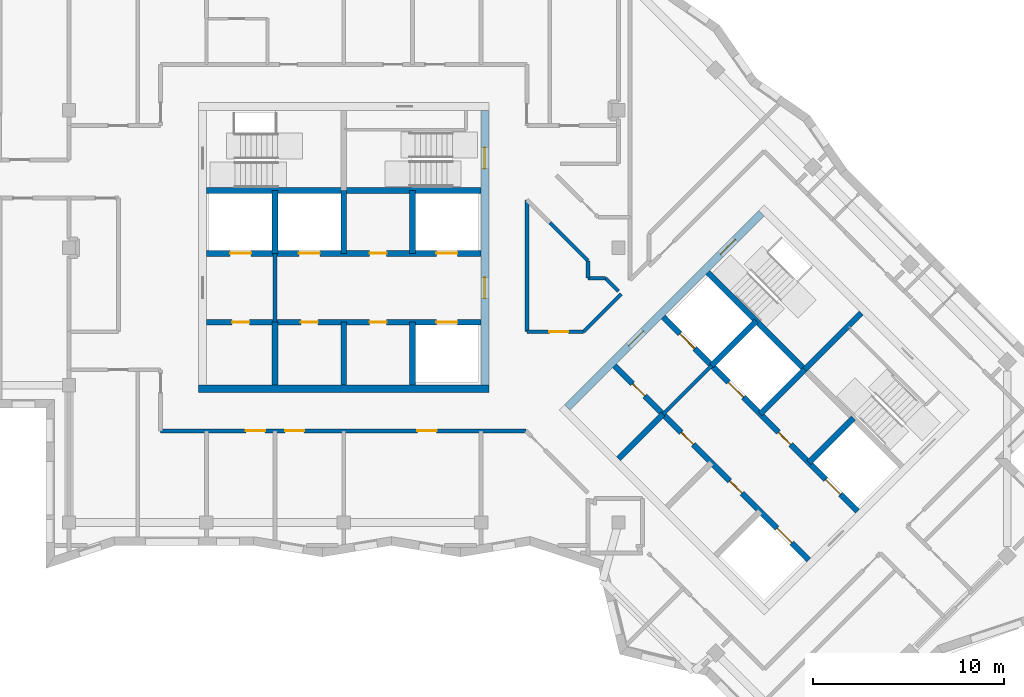
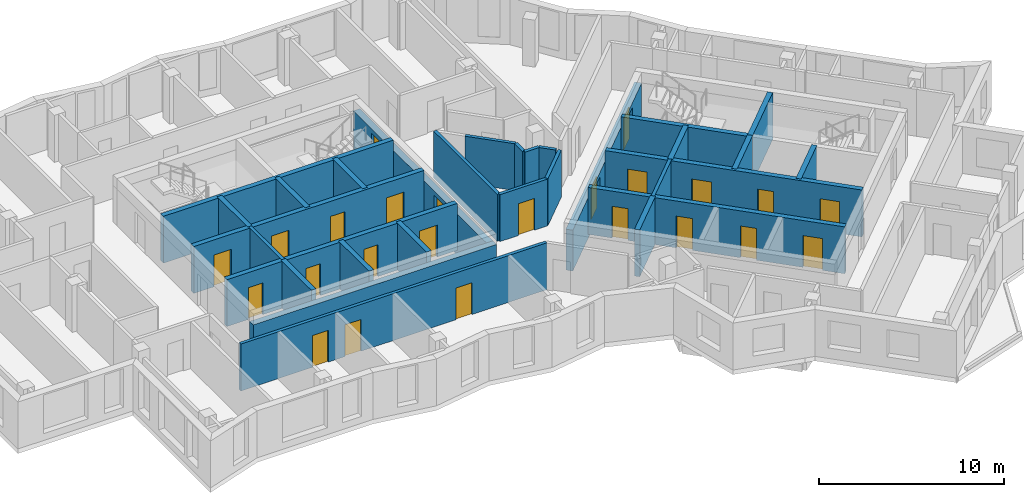
# One storey, part 4 of 12: 31 walls, 24 doors, 24 openings.
"""IFC4 building model written with IfcOpenShell, lengths in metres."""

from ifc_helpers import new_model, si_unit, direction, frame, frame_2d, origin, place, context, subcontext, project, spatial, rectangle, extrude, material, layer, layer_set, type_object, element, fill, save


model = new_model("IFC4")

# Units and contexts
model_context = context("Model", 3, precision=1e-05, world=origin(), true_north=direction((0.0, 1.0)))
body_context = subcontext(model_context, "Body", "Model", "MODEL_VIEW")
ifc_project = project(units=[si_unit("LENGTHUNIT", "METRE"), si_unit("AREAUNIT", "SQUARE_METRE"), si_unit("VOLUMEUNIT", "CUBIC_METRE"), si_unit("PLANEANGLEUNIT", "RADIAN"), si_unit("MASSUNIT", "GRAM", prefix="KILO")], contexts=[model_context])

# Site, building, storey
site_placement = place(None, origin())
site = spatial("IfcSite", under=ifc_project, at=site_placement, CompositionType="ELEMENT")
building_placement = place(site_placement, origin())
building = spatial("IfcBuilding", under=site, at=building_placement, Name="Windrow Commons", CompositionType="ELEMENT")
storey_placement = place(building_placement, frame((0.0, 0.0, 277.8)))
storey = spatial("IfcBuildingStorey", under=building, at=storey_placement, Name="L76", CompositionType="ELEMENT", Elevation=277.8)

# Walls
ifc_material_1 = material(Name="Blockwork partition", Category="masonry")
ifc_layer_1 = layer(ifc_material_1, 0.2)
ifc_layer_set_1 = layer_set([ifc_layer_1], Name="Fire lobby partition 200")
wall_type_1 = type_object("IfcWallType", Name="Fire lobby partition 200", PredefinedType="PARTITIONING", material=ifc_layer_set_1)
for number, where, z_axis, x_axis, name in (
    (1, (61.2, 53.7, 0.0), (0.0, 0.0, 1.0), (0.0, 1.0, 0.0), "W-core-lobby-A-L76"),
    (2, (81.5335, 48.8776, 0.0), (0.0, 0.0, 1.0), (0.707092892, 0.7071206701, 0.0), "W-core-lobby-B-L76"),
):
    element("IfcWall", number, at=place(storey_placement, frame(where, z_axis=z_axis, x_axis=x_axis)), inside=storey, type_object=wall_type_1, Name=name, PredefinedType="PARTITIONING", context=body_context, shape_type="SweptSolid", body=[
        extrude(rectangle(XDim=3.6, YDim=0.2, at=frame_2d((1.8, 0.0))), origin(), (0.0, 0.0, 1.0), 3.1),
    ])

# Wall, openings, doors
ifc_material_2 = material(Name="Blockwork partition", Category="masonry")
ifc_layer_2 = layer(ifc_material_2, 0.2)
ifc_layer_set_2 = layer_set([ifc_layer_2], Name="IW-CORRIDOR-200")
wall_type_2 = type_object("IfcWallType", Name="IW-CORRIDOR-200", PredefinedType="PARTITIONING", material=ifc_layer_set_2)
wall_1_placement = place(storey_placement, frame((55.2, 48.0, 0.0), z_axis=(0.0, 0.0, 1.0), x_axis=(1.0, 0.0, 0.0)))
wall_1 = element("IfcWall", 3, at=wall_1_placement, inside=storey, type_object=wall_type_2, Name="W-L76-W001", PredefinedType="PARTITIONING", context=body_context, shape_type="SweptSolid", body=[
    extrude(rectangle(XDim=19.15, YDim=0.2, at=frame_2d((9.575, 0.0))), origin(), (0.0, 0.0, 1.0), 3.1),
])
opening_1_placement = place(wall_1_placement, frame((4.475, 0.0, 0.0)))
opening_1 = element("IfcOpeningElement", 4, at=opening_1_placement, cuts=wall_1, Name="Opening D310F", PredefinedType="OPENING", context=body_context, shape_type="SweptSolid", body=[
    extrude(rectangle(XDim=1.0, YDim=2.1, at=frame_2d((0.5, 1.05))), frame((0.0, 0.11, 0.0), z_axis=(0.0, -1.0, 0.0), x_axis=(1.0, 0.0, 0.0)), (0.0, 0.0, 1.0), 0.22),
])
opening_2_placement = place(wall_1_placement, frame((6.525, 0.0, 0.0)))
opening_2 = element("IfcOpeningElement", 5, at=opening_2_placement, cuts=wall_1, Name="Opening D310F", PredefinedType="OPENING", context=body_context, shape_type="SweptSolid", body=[
    extrude(rectangle(XDim=1.0, YDim=2.1, at=frame_2d((0.5, 1.05))), frame((0.0, 0.11, 0.0), z_axis=(0.0, -1.0, 0.0), x_axis=(1.0, 0.0, 0.0)), (0.0, 0.0, 1.0), 0.22),
])
opening_3_placement = place(wall_1_placement, frame((13.4625, 0.0, 0.0)))
opening_3 = element("IfcOpeningElement", 6, at=opening_3_placement, cuts=wall_1, Name="Opening D310F", PredefinedType="OPENING", context=body_context, shape_type="SweptSolid", body=[
    extrude(rectangle(XDim=1.0, YDim=2.1, at=frame_2d((0.5, 1.05))), frame((0.0, 0.11, 0.0), z_axis=(0.0, -1.0, 0.0), x_axis=(1.0, 0.0, 0.0)), (0.0, 0.0, 1.0), 0.22),
])
ifc_material_3 = material(Name="Timber door leaf", Category="wood")
door_type_1 = type_object("IfcDoorType", Name="DT-AMENITY-1000", OperationType="SINGLE_SWING_LEFT", PredefinedType="DOOR", material=ifc_material_3)
door_1_placement = place(opening_1_placement, origin())
door_1 = element("IfcDoor", 7, at=door_1_placement, inside=storey, type_object=door_type_1, Name="D-L76-D024", OperationType="SINGLE_SWING_LEFT", OverallHeight=2.1, OverallWidth=1.0, PredefinedType="DOOR", context=body_context, shape_type="SweptSolid", body=[
    extrude(rectangle(XDim=1.0, YDim=2.1, at=frame_2d((0.5, 1.05))), frame((0.0, 0.025, 0.0), z_axis=(0.0, -1.0, 0.0), x_axis=(1.0, 0.0, 0.0)), (0.0, 0.0, 1.0), 0.05),
])
fill(opening_1, door_1)
door_2_placement = place(opening_2_placement, origin())
door_2 = element("IfcDoor", 8, at=door_2_placement, inside=storey, type_object=door_type_1, Name="D-L76-D025", OperationType="SINGLE_SWING_RIGHT", OverallHeight=2.1, OverallWidth=1.0, PredefinedType="DOOR", context=body_context, shape_type="SweptSolid", body=[
    extrude(rectangle(XDim=1.0, YDim=2.1, at=frame_2d((0.5, 1.05))), frame((0.0, 0.025, 0.0), z_axis=(0.0, -1.0, 0.0), x_axis=(1.0, 0.0, 0.0)), (0.0, 0.0, 1.0), 0.05),
])
fill(opening_2, door_2)
door_3_placement = place(opening_3_placement, origin())
door_3 = element("IfcDoor", 9, at=door_3_placement, inside=storey, type_object=door_type_1, Name="D-L76-D026", OperationType="SINGLE_SWING_LEFT", OverallHeight=2.1, OverallWidth=1.0, PredefinedType="DOOR", context=body_context, shape_type="SweptSolid", body=[
    extrude(rectangle(XDim=1.0, YDim=2.1, at=frame_2d((0.5, 1.05))), frame((0.0, 0.025, 0.0), z_axis=(0.0, -1.0, 0.0), x_axis=(1.0, 0.0, 0.0)), (0.0, 0.0, 1.0), 0.05),
])
fill(opening_3, door_3)

# Wall
wall_2_placement = place(storey_placement, frame((74.4, 53.202, 0.0), z_axis=(0.0, 0.0, 1.0), x_axis=(0.0, 1.0, 0.0)))
element("IfcWall", 10, at=wall_2_placement, inside=storey, type_object=wall_type_2, Name="W-L76-W018", PredefinedType="PARTITIONING", context=body_context, shape_type="SweptSolid", body=[
    extrude(rectangle(XDim=6.908, YDim=0.2, at=frame_2d((3.454, 0.0))), origin(), (0.0, 0.0, 1.0), 3.1),
])

# Wall, opening, door
wall_3_placement = place(storey_placement, frame((74.402, 53.2, 0.0), z_axis=(0.0, 0.0, 1.0), x_axis=(1.0, 0.0, 0.0)))
wall_3 = element("IfcWall", 11, at=wall_3_placement, inside=storey, type_object=wall_type_2, Name="W-L76-W060", PredefinedType="PARTITIONING", context=body_context, shape_type="SweptSolid", body=[
    extrude(rectangle(XDim=2.968, YDim=0.2, at=frame_2d((1.484, 0.0))), origin(), (0.0, 0.0, 1.0), 3.1),
])
opening_4_placement = place(wall_3_placement, frame((1.175, 0.0, 0.0)))
opening_4 = element("IfcOpeningElement", 12, at=opening_4_placement, cuts=wall_3, Name="Opening D310F", PredefinedType="OPENING", context=body_context, shape_type="SweptSolid", body=[
    extrude(rectangle(XDim=1.0, YDim=2.1, at=frame_2d((0.5, 1.05))), frame((0.0, 0.11, 0.0), z_axis=(0.0, -1.0, 0.0), x_axis=(1.0, 0.0, 0.0)), (0.0, 0.0, 1.0), 0.22),
])
door_4_placement = place(opening_4_placement, origin())
door_4 = element("IfcDoor", 13, at=door_4_placement, inside=storey, type_object=door_type_1, Name="D-L76-D001", OperationType="SINGLE_SWING_LEFT", OverallHeight=2.1, OverallWidth=1.0, PredefinedType="DOOR", context=body_context, shape_type="SweptSolid", body=[
    extrude(rectangle(XDim=1.0, YDim=2.1, at=frame_2d((0.5, 1.05))), frame((0.0, 0.025, 0.0), z_axis=(0.0, -1.0, 0.0), x_axis=(1.0, 0.0, 0.0)), (0.0, 0.0, 1.0), 0.05),
])
fill(opening_4, door_4)

# Walls
wall_4_placement = place(storey_placement, frame((75.6011, 58.9131, 0.0), z_axis=(0.0, 0.0, 1.0), x_axis=(0.707460777, -0.7067526081, 0.0)))
element("IfcWall", 14, at=wall_4_placement, inside=storey, type_object=wall_type_2, Name="W-L76-W062", PredefinedType="PARTITIONING", context=body_context, shape_type="SweptSolid", body=[
    extrude(rectangle(XDim=2.8242, YDim=0.2, at=frame_2d((1.4121, 0.0))), origin(), (0.0, 0.0, 1.0), 3.1),
])
wall_5_placement = place(storey_placement, frame((77.3695, 53.2005, 0.0), z_axis=(0.0, 0.0, 1.0), x_axis=(0.7071067812, 0.7071067812, 0.0)))
element("IfcWall", 15, at=wall_5_placement, inside=storey, type_object=wall_type_2, Name="W-L76-W063", PredefinedType="PARTITIONING", context=body_context, shape_type="SweptSolid", body=[
    extrude(rectangle(XDim=2.786, YDim=0.2, at=frame_2d((1.393, 0.0))), origin(), (0.0, 0.0, 1.0), 3.1),
])
wall_6_placement = place(storey_placement, frame((78.5168, 55.9988, 0.0), z_axis=(0.0, 0.0, 1.0), x_axis=(0.7060737561, -0.7081382993, 0.0)))
element("IfcWall", 16, at=wall_6_placement, inside=storey, type_object=wall_type_2, Name="W-L76-W105", PredefinedType="PARTITIONING", context=body_context, shape_type="SweptSolid", body=[
    extrude(rectangle(XDim=0.9687, YDim=0.2, at=frame_2d((0.4844, 0.0))), origin(), (0.0, 0.0, 1.0), 3.1),
])
for number, where, z_axis, x_axis, name in (
    (17, (77.6, 56.002, 0.0), (0.0, 0.0, 1.0), (0.0, 1.0, 0.0), "W-L76-W110"),
    (18, (77.602, 56.0, 0.0), (0.0, 0.0, 1.0), (1.0, 0.0, 0.0), "W-L76-W111"),
):
    element("IfcWall", number, at=place(storey_placement, frame(where, z_axis=z_axis, x_axis=x_axis)), inside=storey, type_object=wall_type_2, Name=name, PredefinedType="PARTITIONING", context=body_context, shape_type="SweptSolid", body=[
        extrude(rectangle(XDim=0.906, YDim=0.2, at=frame_2d((0.453, 0.0))), origin(), (0.0, 0.0, 1.0), 3.1),
    ])
ifc_material_4 = material(Name="Concrete C40/50", Category="concrete")
ifc_layer_3 = layer(ifc_material_4, 0.4)
ifc_layer_set_3 = layer_set([ifc_layer_3], Name="RC CORE WALL 400 C40/50")
wall_type_3 = type_object("IfcWallType", Name="RC CORE WALL 400 C40/50", PredefinedType="SHEAR", material=ifc_layer_set_3)
wall_7_placement = place(storey_placement, frame((57.2, 50.2, -0.3), z_axis=(0.0, 0.0, 1.0), x_axis=(1.0, 0.0, 0.0)))
element("IfcWall", 19, at=wall_7_placement, inside=storey, type_object=wall_type_3, Name="Core A wall outer-S", PredefinedType="SHEAR", context=body_context, shape_type="SweptSolid", body=[
    extrude(rectangle(XDim=15.2, YDim=0.4, at=frame_2d((7.6, 0.0))), origin(), (0.0, 0.0, 1.0), 2.7),
])

# Wall, openings, doors
wall_8_placement = place(storey_placement, frame((72.2, 50.4, -0.3), z_axis=(0.0, 0.0, 1.0), x_axis=(0.0, 1.0, 0.0)))
wall_8 = element("IfcWall", 20, at=wall_8_placement, inside=storey, type_object=wall_type_3, Name="Core A wall outer-E", PredefinedType="SHEAR", context=body_context, shape_type="SweptSolid", body=[
    extrude(rectangle(XDim=14.4, YDim=0.4, at=frame_2d((7.2, 0.0))), origin(), (0.0, 0.0, 1.0), 2.7),
])
opening_5_placement = place(wall_8_placement, frame((4.55, 0.0, 0.3)))
opening_5 = element("IfcOpeningElement", 21, at=opening_5_placement, cuts=wall_8, Name="Opening D6", PredefinedType="OPENING", context=body_context, shape_type="SweptSolid", body=[
    extrude(rectangle(XDim=1.1, YDim=2.1, at=frame_2d((0.55, 1.05))), frame((0.0, 0.21, 0.0), z_axis=(0.0, -1.0, 0.0), x_axis=(1.0, 0.0, 0.0)), (0.0, 0.0, 1.0), 0.42),
])
opening_6_placement = place(wall_8_placement, frame((11.35, 0.0, 0.3)))
opening_6 = element("IfcOpeningElement", 22, at=opening_6_placement, cuts=wall_8, Name="Opening D7", PredefinedType="OPENING", context=body_context, shape_type="SweptSolid", body=[
    extrude(rectangle(XDim=1.1, YDim=2.1, at=frame_2d((0.55, 1.05))), frame((0.0, 0.21, 0.0), z_axis=(0.0, -1.0, 0.0), x_axis=(1.0, 0.0, 0.0)), (0.0, 0.0, 1.0), 0.42),
])
ifc_material_5 = material(Name="Steel fire door leaf", Category="steel")
door_type_2 = type_object("IfcDoorType", Name="Core lobby door 1100", OperationType="SINGLE_SWING_LEFT", PredefinedType="DOOR", material=ifc_material_5)
door_5_placement = place(opening_5_placement, origin())
door_5 = element("IfcDoor", 23, at=door_5_placement, inside=storey, type_object=door_type_2, Name="Lift lobby door", OperationType="DOUBLE_DOOR_SINGLE_SWING", OverallHeight=2.1, OverallWidth=1.1, PredefinedType="DOOR", context=body_context, shape_type="SweptSolid", body=[
    extrude(rectangle(XDim=1.1, YDim=2.1, at=frame_2d((0.55, 1.05))), frame((0.0, 0.025, 0.0), z_axis=(0.0, -1.0, 0.0), x_axis=(1.0, 0.0, 0.0)), (0.0, 0.0, 1.0), 0.05),
])
fill(opening_5, door_5)
ifc_material_6 = material(Name="Steel fire door leaf", Category="steel")
door_type_3 = type_object("IfcDoorType", Name="Stair door 1100", OperationType="SINGLE_SWING_LEFT", PredefinedType="DOOR", material=ifc_material_6)
door_6_placement = place(opening_6_placement, origin())
door_6 = element("IfcDoor", 24, at=door_6_placement, inside=storey, type_object=door_type_3, Name="Stair door", OperationType="SINGLE_SWING_RIGHT", OverallHeight=2.1, OverallWidth=1.1, PredefinedType="DOOR", context=body_context, shape_type="SweptSolid", body=[
    extrude(rectangle(XDim=1.1, YDim=2.1, at=frame_2d((0.55, 1.05))), frame((0.0, 0.025, 0.0), z_axis=(0.0, -1.0, 0.0), x_axis=(1.0, 0.0, 0.0)), (0.0, 0.0, 1.0), 0.05),
])
fill(opening_6, door_6)

wall_9_placement = place(storey_placement, frame((76.513, 49.2312, -0.3), z_axis=(0.0, 0.0, 1.0), x_axis=(0.7071067812, 0.7071067812, 0.0)))
wall_9 = element("IfcWall", 25, at=wall_9_placement, inside=storey, type_object=wall_type_3, Name="Core B wall outer-W", PredefinedType="SHEAR", context=body_context, shape_type="SweptSolid", body=[
    extrude(rectangle(XDim=14.3999, YDim=0.4, at=frame_2d((7.2, 0.0))), origin(), (0.0, 0.0, 1.0), 2.7),
])
opening_7_placement = place(wall_9_placement, frame((4.55, 0.0, 0.3)))
opening_7 = element("IfcOpeningElement", 26, at=opening_7_placement, cuts=wall_9, Name="Opening D6", PredefinedType="OPENING", context=body_context, shape_type="SweptSolid", body=[
    extrude(rectangle(XDim=1.1, YDim=2.1, at=frame_2d((0.55, 1.05))), frame((0.0, 0.21, 0.0), z_axis=(0.0, -1.0, 0.0), x_axis=(1.0, 0.0, 0.0)), (0.0, 0.0, 1.0), 0.42),
])
opening_8_placement = place(wall_9_placement, frame((11.35, 0.0, 0.3)))
opening_8 = element("IfcOpeningElement", 27, at=opening_8_placement, cuts=wall_9, Name="Opening D7", PredefinedType="OPENING", context=body_context, shape_type="SweptSolid", body=[
    extrude(rectangle(XDim=1.1, YDim=2.1, at=frame_2d((0.55, 1.05))), frame((0.0, 0.21, 0.0), z_axis=(0.0, -1.0, 0.0), x_axis=(1.0, 0.0, 0.0)), (0.0, 0.0, 1.0), 0.42),
])
door_7_placement = place(opening_7_placement, origin())
door_7 = element("IfcDoor", 28, at=door_7_placement, inside=storey, type_object=door_type_2, Name="Lift lobby door", OperationType="DOUBLE_DOOR_SINGLE_SWING", OverallHeight=2.1, OverallWidth=1.1, PredefinedType="DOOR", context=body_context, shape_type="SweptSolid", body=[
    extrude(rectangle(XDim=1.1, YDim=2.1, at=frame_2d((0.55, 1.05))), frame((0.0, 0.025, 0.0), z_axis=(0.0, -1.0, 0.0), x_axis=(1.0, 0.0, 0.0)), (0.0, 0.0, 1.0), 0.05),
])
fill(opening_7, door_7)
door_8_placement = place(opening_8_placement, origin())
door_8 = element("IfcDoor", 29, at=door_8_placement, inside=storey, type_object=door_type_3, Name="Stair door", OperationType="SINGLE_SWING_LEFT", OverallHeight=2.1, OverallWidth=1.1, PredefinedType="DOOR", context=body_context, shape_type="SweptSolid", body=[
    extrude(rectangle(XDim=1.1, YDim=2.1, at=frame_2d((0.55, 1.05))), frame((0.0, 0.025, 0.0), z_axis=(0.0, -1.0, 0.0), x_axis=(1.0, 0.0, 0.0)), (0.0, 0.0, 1.0), 0.05),
])
fill(opening_8, door_8)

# Walls
ifc_material_7 = material(Name="Concrete C40/50", Category="concrete")
ifc_layer_4 = layer(ifc_material_7, 0.3)
ifc_layer_set_4 = layer_set([ifc_layer_4], Name="RC SHAFT WALL 300 C40/50")
wall_type_4 = type_object("IfcWallType", Name="RC SHAFT WALL 300 C40/50", PredefinedType="SOLIDWALL", material=ifc_layer_set_4)
for number, where, z_axis, x_axis, name in (
    (30, (61.2, 50.4, 0.0), (0.0, 0.0, 1.0), (0.0, 1.0, 0.0), "Core A wall shaft-S1"),
    (31, (61.2, 57.3, 0.0), (0.0, 0.0, 1.0), (0.0, 1.0, 0.0), "Core A wall shaft-N1"),
    (32, (64.8, 50.4, 0.0), (0.0, 0.0, 1.0), (0.0, 1.0, 0.0), "Core A wall shaft-S2"),
    (33, (64.8, 57.3, 0.0), (0.0, 0.0, 1.0), (0.0, 1.0, 0.0), "Core A wall shaft-N2"),
    (34, (68.4, 50.4, 0.0), (0.0, 0.0, 1.0), (0.0, 1.0, 0.0), "Core A wall shaft-S3"),
    (35, (68.4, 57.3, 0.0), (0.0, 0.0, 1.0), (0.0, 1.0, 0.0), "Core A wall shaft-N3"),
):
    element("IfcWall", number, at=place(storey_placement, frame(where, z_axis=z_axis, x_axis=x_axis)), inside=storey, type_object=wall_type_4, Name=name, PredefinedType="SOLIDWALL", context=body_context, shape_type="SweptSolid", body=[
        extrude(rectangle(XDim=3.3, YDim=0.3, at=frame_2d((1.65, 0.0))), origin(), (0.0, 0.0, 1.0), 3.1),
    ])

# Wall, openings, doors
wall_10_placement = place(storey_placement, frame((57.6, 53.7, 0.0), z_axis=(0.0, 0.0, 1.0), x_axis=(1.0, 0.0, 0.0)))
wall_10 = element("IfcWall", 36, at=wall_10_placement, inside=storey, type_object=wall_type_4, Name="Core A wall lobby-S", PredefinedType="SOLIDWALL", context=body_context, shape_type="SweptSolid", body=[
    extrude(rectangle(XDim=14.4, YDim=0.3, at=frame_2d((7.2, 0.0))), origin(), (0.0, 0.0, 1.0), 3.1),
])
opening_9_placement = place(wall_10_placement, frame((1.35, 0.0, 0.0)))
opening_9 = element("IfcOpeningElement", 37, at=opening_9_placement, cuts=wall_10, Name="Opening D8", PredefinedType="OPENING", context=body_context, shape_type="SweptSolid", body=[
    extrude(rectangle(XDim=0.9, YDim=2.1, at=frame_2d((0.45, 1.05))), frame((0.0, 0.16, 0.0), z_axis=(0.0, -1.0, 0.0), x_axis=(1.0, 0.0, 0.0)), (0.0, 0.0, 1.0), 0.32),
])
opening_10_placement = place(wall_10_placement, frame((4.95, 0.0, 0.0)))
opening_10 = element("IfcOpeningElement", 38, at=opening_10_placement, cuts=wall_10, Name="Opening D8", PredefinedType="OPENING", context=body_context, shape_type="SweptSolid", body=[
    extrude(rectangle(XDim=0.9, YDim=2.1, at=frame_2d((0.45, 1.05))), frame((0.0, 0.16, 0.0), z_axis=(0.0, -1.0, 0.0), x_axis=(1.0, 0.0, 0.0)), (0.0, 0.0, 1.0), 0.32),
])
opening_11_placement = place(wall_10_placement, frame((8.55, 0.0, 0.0)))
opening_11 = element("IfcOpeningElement", 39, at=opening_11_placement, cuts=wall_10, Name="Opening D8", PredefinedType="OPENING", context=body_context, shape_type="SweptSolid", body=[
    extrude(rectangle(XDim=0.9, YDim=2.1, at=frame_2d((0.45, 1.05))), frame((0.0, 0.16, 0.0), z_axis=(0.0, -1.0, 0.0), x_axis=(1.0, 0.0, 0.0)), (0.0, 0.0, 1.0), 0.32),
])
opening_12_placement = place(wall_10_placement, frame((12.05, 0.0, 0.0)))
opening_12 = element("IfcOpeningElement", 40, at=opening_12_placement, cuts=wall_10, Name="Opening LD", PredefinedType="OPENING", context=body_context, shape_type="SweptSolid", body=[
    extrude(rectangle(XDim=1.1, YDim=2.1, at=frame_2d((0.55, 1.05))), frame((0.0, 0.16, 0.0), z_axis=(0.0, -1.0, 0.0), x_axis=(1.0, 0.0, 0.0)), (0.0, 0.0, 1.0), 0.32),
])
ifc_material_8 = material(Name="Steel fire door leaf", Category="steel")
door_type_4 = type_object("IfcDoorType", Name="Core store door 900", OperationType="SINGLE_SWING_LEFT", PredefinedType="DOOR", material=ifc_material_8)
door_9_placement = place(opening_9_placement, origin())
door_9 = element("IfcDoor", 41, at=door_9_placement, inside=storey, type_object=door_type_4, Name="Store door", OperationType="SINGLE_SWING_LEFT", OverallHeight=2.1, OverallWidth=0.9, PredefinedType="DOOR", context=body_context, shape_type="SweptSolid", body=[
    extrude(rectangle(XDim=0.9, YDim=2.1, at=frame_2d((0.45, 1.05))), frame((0.0, 0.025, 0.0), z_axis=(0.0, -1.0, 0.0), x_axis=(1.0, 0.0, 0.0)), (0.0, 0.0, 1.0), 0.05),
])
fill(opening_9, door_9)
door_10_placement = place(opening_10_placement, origin())
door_10 = element("IfcDoor", 42, at=door_10_placement, inside=storey, type_object=door_type_4, Name="Store door", OperationType="SINGLE_SWING_LEFT", OverallHeight=2.1, OverallWidth=0.9, PredefinedType="DOOR", context=body_context, shape_type="SweptSolid", body=[
    extrude(rectangle(XDim=0.9, YDim=2.1, at=frame_2d((0.45, 1.05))), frame((0.0, 0.025, 0.0), z_axis=(0.0, -1.0, 0.0), x_axis=(1.0, 0.0, 0.0)), (0.0, 0.0, 1.0), 0.05),
])
fill(opening_10, door_10)
door_11_placement = place(opening_11_placement, origin())
door_11 = element("IfcDoor", 43, at=door_11_placement, inside=storey, type_object=door_type_4, Name="Store door", OperationType="SINGLE_SWING_LEFT", OverallHeight=2.1, OverallWidth=0.9, PredefinedType="DOOR", context=body_context, shape_type="SweptSolid", body=[
    extrude(rectangle(XDim=0.9, YDim=2.1, at=frame_2d((0.45, 1.05))), frame((0.0, 0.025, 0.0), z_axis=(0.0, -1.0, 0.0), x_axis=(1.0, 0.0, 0.0)), (0.0, 0.0, 1.0), 0.05),
])
fill(opening_11, door_11)
ifc_material_9 = material(Name="Stainless steel door leaf", Category="steel")
door_type_5 = type_object("IfcDoorType", Name="Lift landing door 1100", OperationType="SLIDING_TO_LEFT", PredefinedType="DOOR", material=ifc_material_9)
door_12_placement = place(opening_12_placement, origin())
door_12 = element("IfcDoor", 44, at=door_12_placement, inside=storey, type_object=door_type_5, Name="Lift landing door", OperationType="SLIDING_TO_RIGHT", OverallHeight=2.1, OverallWidth=1.1, PredefinedType="DOOR", context=body_context, shape_type="SweptSolid", body=[
    extrude(rectangle(XDim=1.1, YDim=2.1, at=frame_2d((0.55, 1.05))), frame((0.0, 0.025, 0.0), z_axis=(0.0, -1.0, 0.0), x_axis=(1.0, 0.0, 0.0)), (0.0, 0.0, 1.0), 0.05),
])
fill(opening_12, door_12)

wall_11_placement = place(storey_placement, frame((57.6, 57.3, 0.0), z_axis=(0.0, 0.0, 1.0), x_axis=(1.0, 0.0, 0.0)))
wall_11 = element("IfcWall", 45, at=wall_11_placement, inside=storey, type_object=wall_type_4, Name="Core A wall lobby-N", PredefinedType="SOLIDWALL", context=body_context, shape_type="SweptSolid", body=[
    extrude(rectangle(XDim=14.4, YDim=0.3, at=frame_2d((7.2, 0.0))), origin(), (0.0, 0.0, 1.0), 3.1),
])
opening_13_placement = place(wall_11_placement, frame((8.55, 0.0, 0.0)))
opening_13 = element("IfcOpeningElement", 46, at=opening_13_placement, cuts=wall_11, Name="Opening D8", PredefinedType="OPENING", context=body_context, shape_type="SweptSolid", body=[
    extrude(rectangle(XDim=0.9, YDim=2.1, at=frame_2d((0.45, 1.05))), frame((0.0, 0.16, 0.0), z_axis=(0.0, -1.0, 0.0), x_axis=(1.0, 0.0, 0.0)), (0.0, 0.0, 1.0), 0.32),
])
opening_14_placement = place(wall_11_placement, frame((1.25, 0.0, 0.0)))
opening_14 = element("IfcOpeningElement", 47, at=opening_14_placement, cuts=wall_11, Name="Opening LD", PredefinedType="OPENING", context=body_context, shape_type="SweptSolid", body=[
    extrude(rectangle(XDim=1.1, YDim=2.1, at=frame_2d((0.55, 1.05))), frame((0.0, 0.16, 0.0), z_axis=(0.0, -1.0, 0.0), x_axis=(1.0, 0.0, 0.0)), (0.0, 0.0, 1.0), 0.32),
])
opening_15_placement = place(wall_11_placement, frame((4.85, 0.0, 0.0)))
opening_15 = element("IfcOpeningElement", 48, at=opening_15_placement, cuts=wall_11, Name="Opening LD", PredefinedType="OPENING", context=body_context, shape_type="SweptSolid", body=[
    extrude(rectangle(XDim=1.1, YDim=2.1, at=frame_2d((0.55, 1.05))), frame((0.0, 0.16, 0.0), z_axis=(0.0, -1.0, 0.0), x_axis=(1.0, 0.0, 0.0)), (0.0, 0.0, 1.0), 0.32),
])
opening_16_placement = place(wall_11_placement, frame((12.05, 0.0, 0.0)))
opening_16 = element("IfcOpeningElement", 49, at=opening_16_placement, cuts=wall_11, Name="Opening LD", PredefinedType="OPENING", context=body_context, shape_type="SweptSolid", body=[
    extrude(rectangle(XDim=1.1, YDim=2.1, at=frame_2d((0.55, 1.05))), frame((0.0, 0.16, 0.0), z_axis=(0.0, -1.0, 0.0), x_axis=(1.0, 0.0, 0.0)), (0.0, 0.0, 1.0), 0.32),
])
door_13_placement = place(opening_13_placement, origin())
door_13 = element("IfcDoor", 50, at=door_13_placement, inside=storey, type_object=door_type_4, Name="Store door", OperationType="SINGLE_SWING_LEFT", OverallHeight=2.1, OverallWidth=0.9, PredefinedType="DOOR", context=body_context, shape_type="SweptSolid", body=[
    extrude(rectangle(XDim=0.9, YDim=2.1, at=frame_2d((0.45, 1.05))), frame((0.0, 0.025, 0.0), z_axis=(0.0, -1.0, 0.0), x_axis=(1.0, 0.0, 0.0)), (0.0, 0.0, 1.0), 0.05),
])
fill(opening_13, door_13)
door_14_placement = place(opening_14_placement, origin())
door_14 = element("IfcDoor", 51, at=door_14_placement, inside=storey, type_object=door_type_5, Name="Lift landing door", OperationType="SLIDING_TO_LEFT", OverallHeight=2.1, OverallWidth=1.1, PredefinedType="DOOR", context=body_context, shape_type="SweptSolid", body=[
    extrude(rectangle(XDim=1.1, YDim=2.1, at=frame_2d((0.55, 1.05))), frame((0.0, 0.025, 0.0), z_axis=(0.0, -1.0, 0.0), x_axis=(1.0, 0.0, 0.0)), (0.0, 0.0, 1.0), 0.05),
])
fill(opening_14, door_14)
door_15_placement = place(opening_15_placement, origin())
door_15 = element("IfcDoor", 52, at=door_15_placement, inside=storey, type_object=door_type_5, Name="Lift landing door", OperationType="SLIDING_TO_RIGHT", OverallHeight=2.1, OverallWidth=1.1, PredefinedType="DOOR", context=body_context, shape_type="SweptSolid", body=[
    extrude(rectangle(XDim=1.1, YDim=2.1, at=frame_2d((0.55, 1.05))), frame((0.0, 0.025, 0.0), z_axis=(0.0, -1.0, 0.0), x_axis=(1.0, 0.0, 0.0)), (0.0, 0.0, 1.0), 0.05),
])
fill(opening_15, door_15)
door_16_placement = place(opening_16_placement, origin())
door_16 = element("IfcDoor", 53, at=door_16_placement, inside=storey, type_object=door_type_5, Name="Lift landing door", OperationType="SLIDING_TO_RIGHT", OverallHeight=2.1, OverallWidth=1.1, PredefinedType="DOOR", context=body_context, shape_type="SweptSolid", body=[
    extrude(rectangle(XDim=1.1, YDim=2.1, at=frame_2d((0.55, 1.05))), frame((0.0, 0.025, 0.0), z_axis=(0.0, -1.0, 0.0), x_axis=(1.0, 0.0, 0.0)), (0.0, 0.0, 1.0), 0.05),
])
fill(opening_16, door_16)

# Walls
for number, where, z_axis, x_axis, name in (
    (54, (57.6, 60.6, 0.0), (0.0, 0.0, 1.0), (1.0, 0.0, 0.0), "Core A wall stair-S"),
    (55, (64.8, 60.6, 0.0), (0.0, 0.0, 1.0), (1.0, 0.0, 0.0), "Core A wall stair-S2"),
):
    element("IfcWall", number, at=place(storey_placement, frame(where, z_axis=z_axis, x_axis=x_axis)), inside=storey, type_object=wall_type_4, Name=name, PredefinedType="SOLIDWALL", context=body_context, shape_type="SweptSolid", body=[
        extrude(rectangle(XDim=7.2, YDim=0.3, at=frame_2d((3.6, 0.0))), origin(), (0.0, 0.0, 1.0), 3.1),
    ])
for number, where, z_axis, x_axis, name in (
    (56, (79.2, 46.5442, 0.0), (0.0, 0.0, 1.0), (0.7071219326, 0.7070916295, 0.0), "Core B wall shaft-S1"),
    (57, (84.079, 51.4232, 0.0), (0.0, 0.0, 1.0), (0.7071219326, 0.7070916295, 0.0), "Core B wall shaft-N1"),
):
    element("IfcWall", number, at=place(storey_placement, frame(where, z_axis=z_axis, x_axis=x_axis)), inside=storey, type_object=wall_type_4, Name=name, PredefinedType="SOLIDWALL", context=body_context, shape_type="SweptSolid", body=[
        extrude(rectangle(XDim=3.3, YDim=0.3, at=frame_2d((1.65, 0.0))), origin(), (0.0, 0.0, 1.0), 3.1),
    ])
for number, where, z_axis, x_axis, name in (
    (58, (86.6246, 48.8776, 0.0), (0.0, 0.0, 1.0), (0.7071067812, 0.7071067812, 0.0), "Core B wall shaft-N2"),
    (59, (89.1702, 46.332, 0.0), (0.0, 0.0, 1.0), (0.7071067812, 0.7071067812, 0.0), "Core B wall shaft-N3"),
):
    element("IfcWall", number, at=place(storey_placement, frame(where, z_axis=z_axis, x_axis=x_axis)), inside=storey, type_object=wall_type_4, Name=name, PredefinedType="SOLIDWALL", context=body_context, shape_type="SweptSolid", body=[
        extrude(rectangle(XDim=3.3001, YDim=0.3, at=frame_2d((1.6501, 0.0))), origin(), (0.0, 0.0, 1.0), 3.1),
    ])

# Wall, openings, doors
wall_12_placement = place(storey_placement, frame((78.9879, 51.4232, 0.0), z_axis=(0.0, 0.0, 1.0), x_axis=(0.7071067812, -0.7071067812, 0.0)))
wall_12 = element("IfcWall", 60, at=wall_12_placement, inside=storey, type_object=wall_type_4, Name="Core B wall lobby-S", PredefinedType="SOLIDWALL", context=body_context, shape_type="SweptSolid", body=[
    extrude(rectangle(XDim=14.3999, YDim=0.3, at=frame_2d((7.2, 0.0))), origin(), (0.0, 0.0, 1.0), 3.1),
])
opening_17_placement = place(wall_12_placement, frame((1.35, 0.0, 0.0)))
opening_17 = element("IfcOpeningElement", 61, at=opening_17_placement, cuts=wall_12, Name="Opening D8", PredefinedType="OPENING", context=body_context, shape_type="SweptSolid", body=[
    extrude(rectangle(XDim=0.9, YDim=2.1, at=frame_2d((0.45, 1.05))), frame((0.0, 0.16, 0.0), z_axis=(0.0, -1.0, 0.0), x_axis=(1.0, 0.0, 0.0)), (0.0, 0.0, 1.0), 0.32),
])
opening_18_placement = place(wall_12_placement, frame((4.95, 0.0, 0.0)))
opening_18 = element("IfcOpeningElement", 62, at=opening_18_placement, cuts=wall_12, Name="Opening D8", PredefinedType="OPENING", context=body_context, shape_type="SweptSolid", body=[
    extrude(rectangle(XDim=0.9, YDim=2.1, at=frame_2d((0.45, 1.05))), frame((0.0, 0.16, 0.0), z_axis=(0.0, -1.0, 0.0), x_axis=(1.0, 0.0, 0.0)), (0.0, 0.0, 1.0), 0.32),
])
opening_19_placement = place(wall_12_placement, frame((8.55, 0.0, 0.0)))
opening_19 = element("IfcOpeningElement", 63, at=opening_19_placement, cuts=wall_12, Name="Opening D8", PredefinedType="OPENING", context=body_context, shape_type="SweptSolid", body=[
    extrude(rectangle(XDim=0.9, YDim=2.1, at=frame_2d((0.45, 1.05))), frame((0.0, 0.16, 0.0), z_axis=(0.0, -1.0, 0.0), x_axis=(1.0, 0.0, 0.0)), (0.0, 0.0, 1.0), 0.32),
])
opening_20_placement = place(wall_12_placement, frame((12.05, 0.0, 0.0)))
opening_20 = element("IfcOpeningElement", 64, at=opening_20_placement, cuts=wall_12, Name="Opening LD", PredefinedType="OPENING", context=body_context, shape_type="SweptSolid", body=[
    extrude(rectangle(XDim=1.1, YDim=2.1, at=frame_2d((0.55, 1.05))), frame((0.0, 0.16, 0.0), z_axis=(0.0, -1.0, 0.0), x_axis=(1.0, 0.0, 0.0)), (0.0, 0.0, 1.0), 0.32),
])
door_17_placement = place(opening_17_placement, origin())
door_17 = element("IfcDoor", 65, at=door_17_placement, inside=storey, type_object=door_type_4, Name="Store door", OperationType="SINGLE_SWING_LEFT", OverallHeight=2.1, OverallWidth=0.9, PredefinedType="DOOR", context=body_context, shape_type="SweptSolid", body=[
    extrude(rectangle(XDim=0.9, YDim=2.1, at=frame_2d((0.45, 1.05))), frame((0.0, 0.025, 0.0), z_axis=(0.0, -1.0, 0.0), x_axis=(1.0, 0.0, 0.0)), (0.0, 0.0, 1.0), 0.05),
])
fill(opening_17, door_17)
door_18_placement = place(opening_18_placement, origin())
door_18 = element("IfcDoor", 66, at=door_18_placement, inside=storey, type_object=door_type_4, Name="Store door", OperationType="SINGLE_SWING_LEFT", OverallHeight=2.1, OverallWidth=0.9, PredefinedType="DOOR", context=body_context, shape_type="SweptSolid", body=[
    extrude(rectangle(XDim=0.9, YDim=2.1, at=frame_2d((0.45, 1.05))), frame((0.0, 0.025, 0.0), z_axis=(0.0, -1.0, 0.0), x_axis=(1.0, 0.0, 0.0)), (0.0, 0.0, 1.0), 0.05),
])
fill(opening_18, door_18)
door_19_placement = place(opening_19_placement, origin())
door_19 = element("IfcDoor", 67, at=door_19_placement, inside=storey, type_object=door_type_4, Name="Store door", OperationType="SINGLE_SWING_LEFT", OverallHeight=2.1, OverallWidth=0.9, PredefinedType="DOOR", context=body_context, shape_type="SweptSolid", body=[
    extrude(rectangle(XDim=0.9, YDim=2.1, at=frame_2d((0.45, 1.05))), frame((0.0, 0.025, 0.0), z_axis=(0.0, -1.0, 0.0), x_axis=(1.0, 0.0, 0.0)), (0.0, 0.0, 1.0), 0.05),
])
fill(opening_19, door_19)
door_20_placement = place(opening_20_placement, origin())
door_20 = element("IfcDoor", 68, at=door_20_placement, inside=storey, type_object=door_type_5, Name="Lift landing door", OperationType="SLIDING_TO_RIGHT", OverallHeight=2.1, OverallWidth=1.1, PredefinedType="DOOR", context=body_context, shape_type="SweptSolid", body=[
    extrude(rectangle(XDim=1.1, YDim=2.1, at=frame_2d((0.55, 1.05))), frame((0.0, 0.025, 0.0), z_axis=(0.0, -1.0, 0.0), x_axis=(1.0, 0.0, 0.0)), (0.0, 0.0, 1.0), 0.05),
])
fill(opening_20, door_20)

wall_13_placement = place(storey_placement, frame((81.5335, 53.9688, 0.0), z_axis=(0.0, 0.0, 1.0), x_axis=(0.707103309, -0.7071102534, 0.0)))
wall_13 = element("IfcWall", 69, at=wall_13_placement, inside=storey, type_object=wall_type_4, Name="Core B wall lobby-N", PredefinedType="SOLIDWALL", context=body_context, shape_type="SweptSolid", body=[
    extrude(rectangle(XDim=14.4, YDim=0.3, at=frame_2d((7.2, 0.0))), origin(), (0.0, 0.0, 1.0), 3.1),
])
opening_21_placement = place(wall_13_placement, frame((8.55, 0.0, 0.0)))
opening_21 = element("IfcOpeningElement", 70, at=opening_21_placement, cuts=wall_13, Name="Opening D8", PredefinedType="OPENING", context=body_context, shape_type="SweptSolid", body=[
    extrude(rectangle(XDim=0.9, YDim=2.1, at=frame_2d((0.45, 1.05))), frame((0.0, 0.16, 0.0), z_axis=(0.0, -1.0, 0.0), x_axis=(1.0, 0.0, 0.0)), (0.0, 0.0, 1.0), 0.32),
])
opening_22_placement = place(wall_13_placement, frame((1.25, 0.0, 0.0)))
opening_22 = element("IfcOpeningElement", 71, at=opening_22_placement, cuts=wall_13, Name="Opening LD", PredefinedType="OPENING", context=body_context, shape_type="SweptSolid", body=[
    extrude(rectangle(XDim=1.1, YDim=2.1, at=frame_2d((0.55, 1.05))), frame((0.0, 0.16, 0.0), z_axis=(0.0, -1.0, 0.0), x_axis=(1.0, 0.0, 0.0)), (0.0, 0.0, 1.0), 0.32),
])
opening_23_placement = place(wall_13_placement, frame((4.85, 0.0, 0.0)))
opening_23 = element("IfcOpeningElement", 72, at=opening_23_placement, cuts=wall_13, Name="Opening LD", PredefinedType="OPENING", context=body_context, shape_type="SweptSolid", body=[
    extrude(rectangle(XDim=1.1, YDim=2.1, at=frame_2d((0.55, 1.05))), frame((0.0, 0.16, 0.0), z_axis=(0.0, -1.0, 0.0), x_axis=(1.0, 0.0, 0.0)), (0.0, 0.0, 1.0), 0.32),
])
opening_24_placement = place(wall_13_placement, frame((12.05, 0.0, 0.0)))
opening_24 = element("IfcOpeningElement", 73, at=opening_24_placement, cuts=wall_13, Name="Opening LD", PredefinedType="OPENING", context=body_context, shape_type="SweptSolid", body=[
    extrude(rectangle(XDim=1.1, YDim=2.1, at=frame_2d((0.55, 1.05))), frame((0.0, 0.16, 0.0), z_axis=(0.0, -1.0, 0.0), x_axis=(1.0, 0.0, 0.0)), (0.0, 0.0, 1.0), 0.32),
])
door_21_placement = place(opening_21_placement, origin())
door_21 = element("IfcDoor", 74, at=door_21_placement, inside=storey, type_object=door_type_4, Name="Store door", OperationType="SINGLE_SWING_LEFT", OverallHeight=2.1, OverallWidth=0.9, PredefinedType="DOOR", context=body_context, shape_type="SweptSolid", body=[
    extrude(rectangle(XDim=0.9, YDim=2.1, at=frame_2d((0.45, 1.05))), frame((0.0, 0.025, 0.0), z_axis=(0.0, -1.0, 0.0), x_axis=(1.0, 0.0, 0.0)), (0.0, 0.0, 1.0), 0.05),
])
fill(opening_21, door_21)
door_22_placement = place(opening_22_placement, origin())
door_22 = element("IfcDoor", 75, at=door_22_placement, inside=storey, type_object=door_type_5, Name="Lift landing door", OperationType="SLIDING_TO_LEFT", OverallHeight=2.1, OverallWidth=1.1, PredefinedType="DOOR", context=body_context, shape_type="SweptSolid", body=[
    extrude(rectangle(XDim=1.1, YDim=2.1, at=frame_2d((0.55, 1.05))), frame((0.0, 0.025, 0.0), z_axis=(0.0, -1.0, 0.0), x_axis=(1.0, 0.0, 0.0)), (0.0, 0.0, 1.0), 0.05),
])
fill(opening_22, door_22)
door_23_placement = place(opening_23_placement, origin())
door_23 = element("IfcDoor", 76, at=door_23_placement, inside=storey, type_object=door_type_5, Name="Lift landing door", OperationType="SLIDING_TO_RIGHT", OverallHeight=2.1, OverallWidth=1.1, PredefinedType="DOOR", context=body_context, shape_type="SweptSolid", body=[
    extrude(rectangle(XDim=1.1, YDim=2.1, at=frame_2d((0.55, 1.05))), frame((0.0, 0.025, 0.0), z_axis=(0.0, -1.0, 0.0), x_axis=(1.0, 0.0, 0.0)), (0.0, 0.0, 1.0), 0.05),
])
fill(opening_23, door_23)
door_24_placement = place(opening_24_placement, origin())
door_24 = element("IfcDoor", 77, at=door_24_placement, inside=storey, type_object=door_type_5, Name="Lift landing door", OperationType="SLIDING_TO_RIGHT", OverallHeight=2.1, OverallWidth=1.1, PredefinedType="DOOR", context=body_context, shape_type="SweptSolid", body=[
    extrude(rectangle(XDim=1.1, YDim=2.1, at=frame_2d((0.55, 1.05))), frame((0.0, 0.025, 0.0), z_axis=(0.0, -1.0, 0.0), x_axis=(1.0, 0.0, 0.0)), (0.0, 0.0, 1.0), 0.05),
])
fill(opening_24, door_24)

# Walls
wall_14_placement = place(storey_placement, frame((83.8669, 56.3022, 0.0), z_axis=(0.0, 0.0, 1.0), x_axis=(0.7071137256, -0.7070998367, 0.0)))
element("IfcWall", 78, at=wall_14_placement, inside=storey, type_object=wall_type_4, Name="Core B wall stair-S", PredefinedType="SOLIDWALL", context=body_context, shape_type="SweptSolid", body=[
    extrude(rectangle(XDim=7.2, YDim=0.3, at=frame_2d((3.6, 0.0))), origin(), (0.0, 0.0, 1.0), 3.1),
])
wall_15_placement = place(storey_placement, frame((88.9581, 51.2111, 0.0), z_axis=(0.0, 0.0, 1.0), x_axis=(0.7071067812, 0.7071067812, 0.0)))
element("IfcWall", 79, at=wall_15_placement, inside=storey, type_object=wall_type_4, Name="Core B wall stair-mid", PredefinedType="SOLIDWALL", context=body_context, shape_type="SweptSolid", body=[
    extrude(rectangle(XDim=4.1999, YDim=0.3, at=frame_2d((2.1, 0.0))), origin(), (0.0, 0.0, 1.0), 3.1),
])

save(model, "model.ifc")
